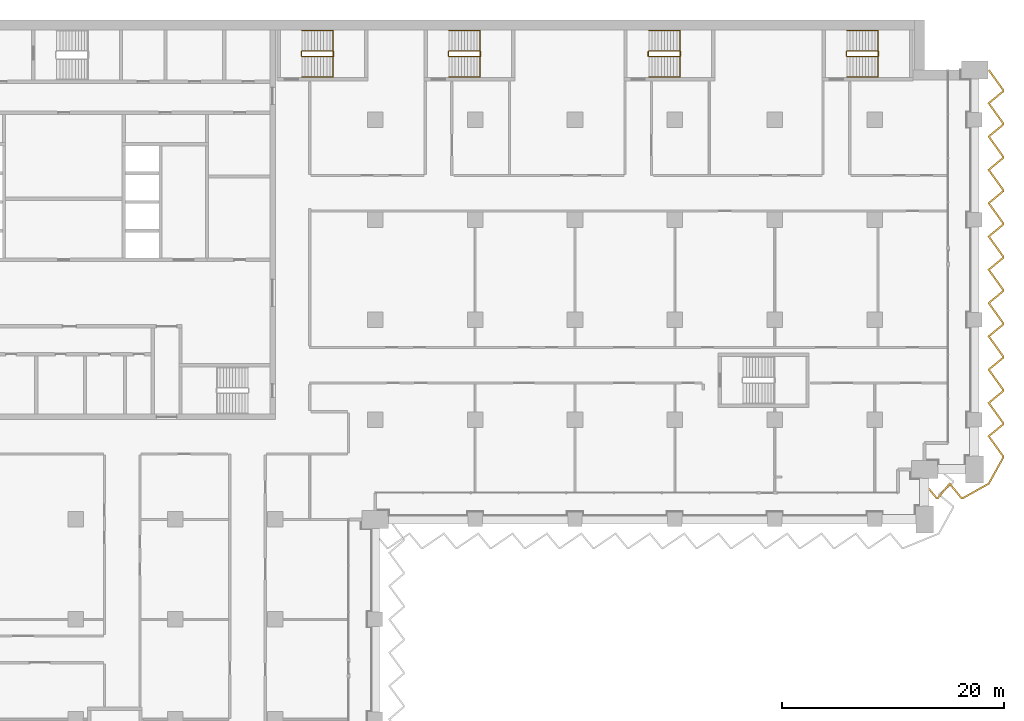
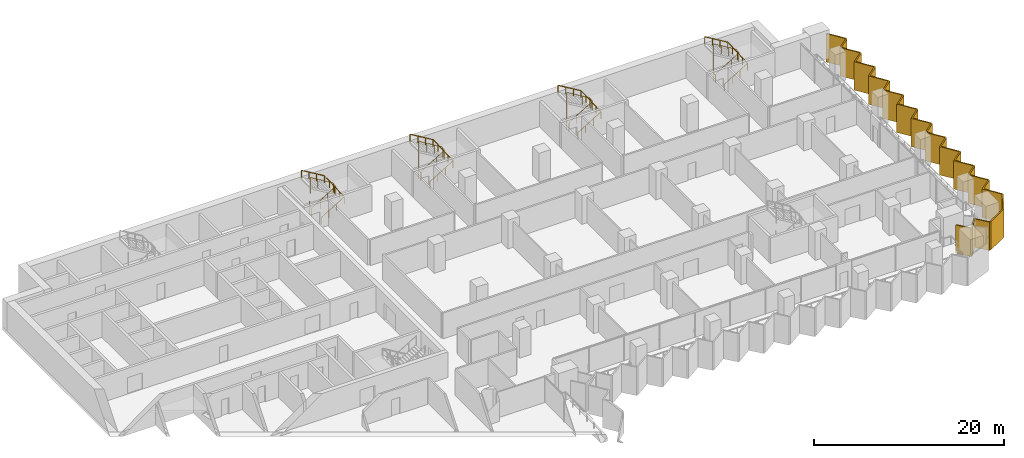
# One storey, part 27 of 28: 8 railings, 1 shading device.
"""IFC4 building model written with IfcOpenShell, lengths in metres."""

from ifc_helpers import new_model, si_unit, direction, frame, origin, origin_2d, place, context, subcontext, project, spatial, polyline, circle, outline, extrude, material, layer, layer_set, type_object, element, save


model = new_model("IFC4")

# Units and contexts
model_context = context("Model", 3, precision=1e-05, world=origin(), true_north=direction((0.0, 1.0)))
body_context = subcontext(model_context, "Body", "Model", "MODEL_VIEW")
ifc_project = project(units=[si_unit("LENGTHUNIT", "METRE"), si_unit("AREAUNIT", "SQUARE_METRE"), si_unit("VOLUMEUNIT", "CUBIC_METRE"), si_unit("PLANEANGLEUNIT", "RADIAN"), si_unit("MASSUNIT", "GRAM", prefix="KILO")], contexts=[model_context])

# Site, building, storey
site_placement = place(None, origin())
site = spatial("IfcSite", under=ifc_project, at=site_placement, CompositionType="ELEMENT")
building_placement = place(site_placement, origin())
building = spatial("IfcBuilding", under=site, at=building_placement, Name="Hunhe Ridgeline Campus", CompositionType="ELEMENT")
storey_placement = place(building_placement, frame((0.0, 0.0, 58.0)))
storey = spatial("IfcBuildingStorey", under=building, at=storey_placement, Name="L13", CompositionType="ELEMENT", Elevation=58.0)

# Shading device
ifc_material_1 = material(Name="Concrete C50", Category="concrete")
ifc_layer = layer(ifc_material_1, 0.14990234375)
ifc_layer_set = layer_set([ifc_layer], Name="Sawtooth concrete fin 150 Concrete C50")
shading_device_type = type_object("IfcShadingDeviceType", Name="Sawtooth concrete fin 150 Concrete C50", PredefinedType="USERDEFINED", material=ifc_layer_set)
shading_device_placement = place(storey_placement, frame((0.0, 0.0, -0.949951171875)))
element("IfcShadingDevice", 1, at=shading_device_placement, inside=storey, type_object=shading_device_type, Name="Concrete fin screen 3", ObjectType="FIN", PredefinedType="USERDEFINED", context=body_context, shape_type="SweptSolid", body=[
    extrude(outline(polyline([(94.557861328125, 57.272705078125), (94.442138671875, 57.17724609375), (95.537353515625, 55.85009765625), (95.728271484375, 55.85009765625), (96.75048828125, 57.106689453125), (97.787353515625, 55.85009765625), (97.962158203125, 55.85009765625), (100.330322265625, 57.169921875), (101.64990234375, 59.55322265625), (101.64990234375, 59.716796875), (100.376953125, 61.48681640625), (101.64990234375, 62.537353515625), (101.64990234375, 62.716796875), (100.376953125, 64.48681640625), (101.64990234375, 65.537353515625), (101.64990234375, 65.716796875), (100.376953125, 67.48681640625), (101.64990234375, 68.537353515625), (101.64990234375, 68.716796875), (100.376953125, 70.48681640625), (101.64990234375, 71.537353515625), (101.64990234375, 71.716796875), (100.376953125, 73.48681640625), (101.64990234375, 74.537353515625), (101.64990234375, 74.716796875), (100.376953125, 76.48681640625), (101.64990234375, 77.537353515625), (101.64990234375, 77.716796875), (100.376953125, 79.48681640625), (101.64990234375, 80.537353515625), (101.64990234375, 80.716796875), (100.376953125, 82.48681640625), (101.64990234375, 83.537353515625), (101.64990234375, 83.716796875), (100.376953125, 85.48681640625), (101.64990234375, 86.537353515625), (101.64990234375, 86.716796875), (100.376953125, 88.48681640625), (101.64990234375, 89.537353515625), (101.64990234375, 89.716796875), (100.376953125, 91.48681640625), (101.64990234375, 92.537353515625), (101.64990234375, 92.716796875), (100.3359375, 94.543701171875), (100.214111328125, 94.456298828125), (101.5, 92.66845703125), (101.5, 92.60791015625), (100.173095703125, 91.51318359375), (101.5, 89.66845703125), (101.5, 89.60791015625), (100.173095703125, 88.51318359375), (101.5, 86.66845703125), (101.5, 86.60791015625), (100.173095703125, 85.51318359375), (101.5, 83.66845703125), (101.5, 83.60791015625), (100.173095703125, 82.51318359375), (101.5, 80.66845703125), (101.5, 80.60791015625), (100.173095703125, 79.51318359375), (101.5, 77.66845703125), (101.5, 77.60791015625), (100.173095703125, 76.51318359375), (101.5, 74.66845703125), (101.5, 74.60791015625), (100.173095703125, 73.51318359375), (101.5, 71.66845703125), (101.5, 71.60791015625), (100.173095703125, 70.51318359375), (101.5, 68.66845703125), (101.5, 68.60791015625), (100.173095703125, 67.51318359375), (101.5, 65.66845703125), (101.5, 65.60791015625), (100.173095703125, 64.51318359375), (101.5, 62.66845703125), (101.5, 62.60791015625), (100.173095703125, 61.51318359375), (101.5, 59.66845703125), (101.5, 59.592041015625), (100.2197265625, 57.280029296875), (97.923095703125, 56.0), (97.85791015625, 56.0), (96.74951171875, 57.34326171875), (95.656982421875, 56.0), (95.60791015625, 56.0), (94.557861328125, 57.272705078125)])), origin(), (0.0, 0.0, 1.0), 3.64990234375),
])

# Railings
ifc_material_2 = material(Name="Stainless steel balustrade", Category="steel")
railing_type_1 = type_object("IfcRailingType", Name="Stair guard 1100 stainless", PredefinedType="GUARDRAIL", material=ifc_material_2)
railing_1_placement = place(storey_placement, frame((38.39990234375, 95.699951171875, 0.168212890625)))
element("IfcRailing", 2, at=railing_1_placement, inside=storey, type_object=railing_type_1, Name="L13 stair E1 guard", PredefinedType="GUARDRAIL", context=body_context, shape_type="SweptSolid", body=[
    extrude(circle(Radius=0.02392578125, at=origin_2d()), frame((0.0, 0.0, 1.076171875), z_axis=(0.857242210791, 0.0, 0.514913383045), x_axis=(0.0, 1.0, 0.0)), (0.0, 0.0, 1.0), 3.266357421875),
    extrude(circle(Radius=0.02392578125, at=origin_2d()), frame((2.800048828125, 0.0, 2.7578125), z_axis=(0.707106781187, 0.707106781187, 0.0), x_axis=(-0.707106781187, 0.707106781187, 0.0)), (0.0, 0.0, 1.0), 0.07080078125),
    extrude(circle(Radius=0.02392578125, at=origin_2d()), frame((2.85009765625, 0.050048828125, 2.7578125), z_axis=(0.0, 1.0, 0.0), x_axis=(-1.0, 0.0, 0.0)), (0.0, 0.0, 1.0), 0.39990234375),
    extrude(circle(Radius=0.02392578125, at=origin_2d()), frame((2.85009765625, 0.449951171875, 2.7578125), z_axis=(-0.274582412415, 0.274582412415, 0.921525364591), x_axis=(-0.707106781187, -0.707106781187, 0.0)), (0.0, 0.0, 1.0), 0.182373046875),
    extrude(circle(Radius=0.02392578125, at=origin_2d()), frame((2.800048828125, 0.5, 2.92578125), z_axis=(-0.857242210791, 0.0, 0.514913383045), x_axis=(0.0, -1.0, 0.0)), (0.0, 0.0, 1.0), 3.266357421875),
    extrude(circle(Radius=0.02392578125, at=origin_2d()), frame((0.0, 0.5, 4.60791015625), z_axis=(-0.013458453615, -0.013524426427, -0.999817963389), x_axis=(0.708833529934, -0.705375805398, 0.0)), (0.0, 0.0, 1.0), 3.70068359375),
    extrude(circle(Radius=0.02392578125, at=origin_2d()), frame((-0.0498046875, 0.449951171875, 0.90771484375), z_axis=(0.0, -1.0, 0.0), x_axis=(1.0, 0.0, 0.0)), (0.0, 0.0, 1.0), 0.39990234375),
    extrude(circle(Radius=0.02099609375, at=origin_2d()), origin(), (0.0, 0.0, 1.0), 1.052001953125),
    extrude(circle(Radius=0.02099609375, at=origin_2d()), frame((0.933349609375, 0.0, 0.560546875)), (0.0, 0.0, 1.0), 1.052001953125),
    extrude(circle(Radius=0.02099609375, at=origin_2d()), frame((1.86669921875, 0.0, 1.121337890625)), (0.0, 0.0, 1.0), 1.052001953125),
    extrude(circle(Radius=0.02099609375, at=origin_2d()), frame((2.800048828125, 0.0, 1.681884765625)), (0.0, 0.0, 1.0), 1.052001953125),
    extrude(circle(Radius=0.02099609375, at=origin_2d()), frame((2.85009765625, 0.050048828125, 1.681884765625)), (0.0, 0.0, 1.0), 1.052001953125),
    extrude(circle(Radius=0.02099609375, at=origin_2d()), frame((2.85009765625, 0.449951171875, 1.681884765625)), (0.0, 0.0, 1.0), 1.052001953125),
    extrude(circle(Radius=0.02099609375, at=origin_2d()), frame((2.800048828125, 0.5, 1.849853515625)), (0.0, 0.0, 1.0), 1.052001953125),
    extrude(circle(Radius=0.02099609375, at=origin_2d()), frame((1.86669921875, 0.5, 2.410400390625)), (0.0, 0.0, 1.0), 1.052001953125),
    extrude(circle(Radius=0.02099609375, at=origin_2d()), frame((0.933349609375, 0.5, 2.97119140625)), (0.0, 0.0, 1.0), 1.052001953125),
    extrude(circle(Radius=0.02099609375, at=origin_2d()), frame((0.0, 0.5, 3.53173828125)), (0.0, 0.0, 1.0), 1.052001953125),
    extrude(circle(Radius=0.02099609375, at=origin_2d()), frame((-0.012451171875, 0.487548828125, 2.606689453125)), (0.0, 0.0, 1.0), 1.052001953125),
    extrude(circle(Radius=0.02099609375, at=origin_2d()), frame((-0.02490234375, 0.47509765625, 1.681640625)), (0.0, 0.0, 1.0), 1.052001953125),
    extrude(circle(Radius=0.02099609375, at=origin_2d()), frame((-0.037353515625, 0.46240234375, 0.7568359375)), (0.0, 0.0, 1.0), 1.052001953125),
    extrude(circle(Radius=0.02099609375, at=origin_2d()), frame((-0.0498046875, 0.449951171875, -0.168212890625)), (0.0, 0.0, 1.0), 1.052001953125),
    extrude(circle(Radius=0.02099609375, at=origin_2d()), frame((-0.0498046875, 0.050048828125, -0.168212890625)), (0.0, 0.0, 1.0), 1.052001953125),
])
railing_2_placement = place(storey_placement, frame((51.64990234375, 95.699951171875, 0.168212890625)))
element("IfcRailing", 3, at=railing_2_placement, inside=storey, type_object=railing_type_1, Name="L13 stair E2 guard", PredefinedType="GUARDRAIL", context=body_context, shape_type="SweptSolid", body=[
    extrude(circle(Radius=0.02392578125, at=origin_2d()), frame((0.0, 0.0, 1.076171875), z_axis=(0.857242210791, 0.0, 0.514913383045), x_axis=(0.0, 1.0, 0.0)), (0.0, 0.0, 1.0), 3.266357421875),
    extrude(circle(Radius=0.02392578125, at=origin_2d()), frame((2.800048828125, 0.0, 2.7578125), z_axis=(0.707106781187, 0.707106781187, 0.0), x_axis=(-0.707106781187, 0.707106781187, 0.0)), (0.0, 0.0, 1.0), 0.07080078125),
    extrude(circle(Radius=0.02392578125, at=origin_2d()), frame((2.85009765625, 0.050048828125, 2.7578125), z_axis=(0.0, 1.0, 0.0), x_axis=(-1.0, 0.0, 0.0)), (0.0, 0.0, 1.0), 0.39990234375),
    extrude(circle(Radius=0.02392578125, at=origin_2d()), frame((2.85009765625, 0.449951171875, 2.7578125), z_axis=(-0.274582412415, 0.274582412415, 0.921525364591), x_axis=(-0.707106781187, -0.707106781187, 0.0)), (0.0, 0.0, 1.0), 0.182373046875),
    extrude(circle(Radius=0.02392578125, at=origin_2d()), frame((2.800048828125, 0.5, 2.92578125), z_axis=(-0.857242210791, 0.0, 0.514913383045), x_axis=(0.0, -1.0, 0.0)), (0.0, 0.0, 1.0), 3.266357421875),
    extrude(circle(Radius=0.02392578125, at=origin_2d()), frame((0.0, 0.5, 4.60791015625), z_axis=(-0.013458453615, -0.013524426427, -0.999817963389), x_axis=(0.708833529934, -0.705375805398, 0.0)), (0.0, 0.0, 1.0), 3.70068359375),
    extrude(circle(Radius=0.02392578125, at=origin_2d()), frame((-0.0498046875, 0.449951171875, 0.90771484375), z_axis=(0.0, -1.0, 0.0), x_axis=(1.0, 0.0, 0.0)), (0.0, 0.0, 1.0), 0.39990234375),
    extrude(circle(Radius=0.02099609375, at=origin_2d()), origin(), (0.0, 0.0, 1.0), 1.052001953125),
    extrude(circle(Radius=0.02099609375, at=origin_2d()), frame((0.933349609375, 0.0, 0.560546875)), (0.0, 0.0, 1.0), 1.052001953125),
    extrude(circle(Radius=0.02099609375, at=origin_2d()), frame((1.86669921875, 0.0, 1.121337890625)), (0.0, 0.0, 1.0), 1.052001953125),
    extrude(circle(Radius=0.02099609375, at=origin_2d()), frame((2.800048828125, 0.0, 1.681884765625)), (0.0, 0.0, 1.0), 1.052001953125),
    extrude(circle(Radius=0.02099609375, at=origin_2d()), frame((2.85009765625, 0.050048828125, 1.681884765625)), (0.0, 0.0, 1.0), 1.052001953125),
    extrude(circle(Radius=0.02099609375, at=origin_2d()), frame((2.85009765625, 0.449951171875, 1.681884765625)), (0.0, 0.0, 1.0), 1.052001953125),
    extrude(circle(Radius=0.02099609375, at=origin_2d()), frame((2.800048828125, 0.5, 1.849853515625)), (0.0, 0.0, 1.0), 1.052001953125),
    extrude(circle(Radius=0.02099609375, at=origin_2d()), frame((1.86669921875, 0.5, 2.410400390625)), (0.0, 0.0, 1.0), 1.052001953125),
    extrude(circle(Radius=0.02099609375, at=origin_2d()), frame((0.933349609375, 0.5, 2.97119140625)), (0.0, 0.0, 1.0), 1.052001953125),
    extrude(circle(Radius=0.02099609375, at=origin_2d()), frame((0.0, 0.5, 3.53173828125)), (0.0, 0.0, 1.0), 1.052001953125),
    extrude(circle(Radius=0.02099609375, at=origin_2d()), frame((-0.012451171875, 0.487548828125, 2.606689453125)), (0.0, 0.0, 1.0), 1.052001953125),
    extrude(circle(Radius=0.02099609375, at=origin_2d()), frame((-0.02490234375, 0.47509765625, 1.681640625)), (0.0, 0.0, 1.0), 1.052001953125),
    extrude(circle(Radius=0.02099609375, at=origin_2d()), frame((-0.037353515625, 0.46240234375, 0.7568359375)), (0.0, 0.0, 1.0), 1.052001953125),
    extrude(circle(Radius=0.02099609375, at=origin_2d()), frame((-0.0498046875, 0.449951171875, -0.168212890625)), (0.0, 0.0, 1.0), 1.052001953125),
    extrude(circle(Radius=0.02099609375, at=origin_2d()), frame((-0.0498046875, 0.050048828125, -0.168212890625)), (0.0, 0.0, 1.0), 1.052001953125),
])
railing_3_placement = place(storey_placement, frame((69.64990234375, 95.699951171875, 0.168212890625)))
element("IfcRailing", 4, at=railing_3_placement, inside=storey, type_object=railing_type_1, Name="L13 stair E3 guard", PredefinedType="GUARDRAIL", context=body_context, shape_type="SweptSolid", body=[
    extrude(circle(Radius=0.02392578125, at=origin_2d()), frame((0.0, 0.0, 1.076171875), z_axis=(0.857242210791, 0.0, 0.514913383045), x_axis=(0.0, 1.0, 0.0)), (0.0, 0.0, 1.0), 3.266357421875),
    extrude(circle(Radius=0.02392578125, at=origin_2d()), frame((2.800048828125, 0.0, 2.7578125), z_axis=(0.707106781187, 0.707106781187, 0.0), x_axis=(-0.707106781187, 0.707106781187, 0.0)), (0.0, 0.0, 1.0), 0.07080078125),
    extrude(circle(Radius=0.02392578125, at=origin_2d()), frame((2.85009765625, 0.050048828125, 2.7578125), z_axis=(0.0, 1.0, 0.0), x_axis=(-1.0, 0.0, 0.0)), (0.0, 0.0, 1.0), 0.39990234375),
    extrude(circle(Radius=0.02392578125, at=origin_2d()), frame((2.85009765625, 0.449951171875, 2.7578125), z_axis=(-0.274582412415, 0.274582412415, 0.921525364591), x_axis=(-0.707106781187, -0.707106781187, 0.0)), (0.0, 0.0, 1.0), 0.182373046875),
    extrude(circle(Radius=0.02392578125, at=origin_2d()), frame((2.800048828125, 0.5, 2.92578125), z_axis=(-0.857242210791, 0.0, 0.514913383045), x_axis=(0.0, -1.0, 0.0)), (0.0, 0.0, 1.0), 3.266357421875),
    extrude(circle(Radius=0.02392578125, at=origin_2d()), frame((0.0, 0.5, 4.60791015625), z_axis=(-0.013458453615, -0.013524426427, -0.999817963389), x_axis=(0.708833529934, -0.705375805398, 0.0)), (0.0, 0.0, 1.0), 3.70068359375),
    extrude(circle(Radius=0.02392578125, at=origin_2d()), frame((-0.0498046875, 0.449951171875, 0.90771484375), z_axis=(0.0, -1.0, 0.0), x_axis=(1.0, 0.0, 0.0)), (0.0, 0.0, 1.0), 0.39990234375),
    extrude(circle(Radius=0.02099609375, at=origin_2d()), origin(), (0.0, 0.0, 1.0), 1.052001953125),
    extrude(circle(Radius=0.02099609375, at=origin_2d()), frame((0.933349609375, 0.0, 0.560546875)), (0.0, 0.0, 1.0), 1.052001953125),
    extrude(circle(Radius=0.02099609375, at=origin_2d()), frame((1.86669921875, 0.0, 1.121337890625)), (0.0, 0.0, 1.0), 1.052001953125),
    extrude(circle(Radius=0.02099609375, at=origin_2d()), frame((2.800048828125, 0.0, 1.681884765625)), (0.0, 0.0, 1.0), 1.052001953125),
    extrude(circle(Radius=0.02099609375, at=origin_2d()), frame((2.85009765625, 0.050048828125, 1.681884765625)), (0.0, 0.0, 1.0), 1.052001953125),
    extrude(circle(Radius=0.02099609375, at=origin_2d()), frame((2.85009765625, 0.449951171875, 1.681884765625)), (0.0, 0.0, 1.0), 1.052001953125),
    extrude(circle(Radius=0.02099609375, at=origin_2d()), frame((2.800048828125, 0.5, 1.849853515625)), (0.0, 0.0, 1.0), 1.052001953125),
    extrude(circle(Radius=0.02099609375, at=origin_2d()), frame((1.86669921875, 0.5, 2.410400390625)), (0.0, 0.0, 1.0), 1.052001953125),
    extrude(circle(Radius=0.02099609375, at=origin_2d()), frame((0.933349609375, 0.5, 2.97119140625)), (0.0, 0.0, 1.0), 1.052001953125),
    extrude(circle(Radius=0.02099609375, at=origin_2d()), frame((0.0, 0.5, 3.53173828125)), (0.0, 0.0, 1.0), 1.052001953125),
    extrude(circle(Radius=0.02099609375, at=origin_2d()), frame((-0.012451171875, 0.487548828125, 2.606689453125)), (0.0, 0.0, 1.0), 1.052001953125),
    extrude(circle(Radius=0.02099609375, at=origin_2d()), frame((-0.02490234375, 0.47509765625, 1.681640625)), (0.0, 0.0, 1.0), 1.052001953125),
    extrude(circle(Radius=0.02099609375, at=origin_2d()), frame((-0.037353515625, 0.46240234375, 0.7568359375)), (0.0, 0.0, 1.0), 1.052001953125),
    extrude(circle(Radius=0.02099609375, at=origin_2d()), frame((-0.0498046875, 0.449951171875, -0.168212890625)), (0.0, 0.0, 1.0), 1.052001953125),
    extrude(circle(Radius=0.02099609375, at=origin_2d()), frame((-0.0498046875, 0.050048828125, -0.168212890625)), (0.0, 0.0, 1.0), 1.052001953125),
])
railing_4_placement = place(storey_placement, frame((87.5, 95.699951171875, 0.168212890625)))
element("IfcRailing", 5, at=railing_4_placement, inside=storey, type_object=railing_type_1, Name="L13 stair E4 guard", PredefinedType="GUARDRAIL", context=body_context, shape_type="SweptSolid", body=[
    extrude(circle(Radius=0.02392578125, at=origin_2d()), frame((0.0, 0.0, 1.076171875), z_axis=(0.857242210791, 0.0, 0.514913383045), x_axis=(0.0, 1.0, 0.0)), (0.0, 0.0, 1.0), 3.266357421875),
    extrude(circle(Radius=0.02392578125, at=origin_2d()), frame((2.800048828125, 0.0, 2.7578125), z_axis=(0.707106781187, 0.707106781187, 0.0), x_axis=(-0.707106781187, 0.707106781187, 0.0)), (0.0, 0.0, 1.0), 0.07080078125),
    extrude(circle(Radius=0.02392578125, at=origin_2d()), frame((2.85009765625, 0.050048828125, 2.7578125), z_axis=(0.0, 1.0, 0.0), x_axis=(-1.0, 0.0, 0.0)), (0.0, 0.0, 1.0), 0.39990234375),
    extrude(circle(Radius=0.02392578125, at=origin_2d()), frame((2.85009765625, 0.449951171875, 2.7578125), z_axis=(-0.274582412415, 0.274582412415, 0.921525364591), x_axis=(-0.707106781187, -0.707106781187, 0.0)), (0.0, 0.0, 1.0), 0.182373046875),
    extrude(circle(Radius=0.02392578125, at=origin_2d()), frame((2.800048828125, 0.5, 2.92578125), z_axis=(-0.857242210791, 0.0, 0.514913383045), x_axis=(0.0, -1.0, 0.0)), (0.0, 0.0, 1.0), 3.266357421875),
    extrude(circle(Radius=0.02392578125, at=origin_2d()), frame((0.0, 0.5, 4.60791015625), z_axis=(-0.013524414389, -0.013524414389, -0.999817073484), x_axis=(0.707106781187, -0.707106781187, 0.0)), (0.0, 0.0, 1.0), 3.70068359375),
    extrude(circle(Radius=0.02392578125, at=origin_2d()), frame((-0.050048828125, 0.449951171875, 0.90771484375), z_axis=(0.0, -1.0, 0.0), x_axis=(1.0, 0.0, 0.0)), (0.0, 0.0, 1.0), 0.39990234375),
    extrude(circle(Radius=0.02099609375, at=origin_2d()), origin(), (0.0, 0.0, 1.0), 1.052001953125),
    extrude(circle(Radius=0.02099609375, at=origin_2d()), frame((0.933349609375, 0.0, 0.560546875)), (0.0, 0.0, 1.0), 1.052001953125),
    extrude(circle(Radius=0.02099609375, at=origin_2d()), frame((1.86669921875, 0.0, 1.121337890625)), (0.0, 0.0, 1.0), 1.052001953125),
    extrude(circle(Radius=0.02099609375, at=origin_2d()), frame((2.800048828125, 0.0, 1.681884765625)), (0.0, 0.0, 1.0), 1.052001953125),
    extrude(circle(Radius=0.02099609375, at=origin_2d()), frame((2.85009765625, 0.050048828125, 1.681884765625)), (0.0, 0.0, 1.0), 1.052001953125),
    extrude(circle(Radius=0.02099609375, at=origin_2d()), frame((2.85009765625, 0.449951171875, 1.681884765625)), (0.0, 0.0, 1.0), 1.052001953125),
    extrude(circle(Radius=0.02099609375, at=origin_2d()), frame((2.800048828125, 0.5, 1.849853515625)), (0.0, 0.0, 1.0), 1.052001953125),
    extrude(circle(Radius=0.02099609375, at=origin_2d()), frame((1.86669921875, 0.5, 2.410400390625)), (0.0, 0.0, 1.0), 1.052001953125),
    extrude(circle(Radius=0.02099609375, at=origin_2d()), frame((0.933349609375, 0.5, 2.97119140625)), (0.0, 0.0, 1.0), 1.052001953125),
    extrude(circle(Radius=0.02099609375, at=origin_2d()), frame((0.0, 0.5, 3.53173828125)), (0.0, 0.0, 1.0), 1.052001953125),
    extrude(circle(Radius=0.02099609375, at=origin_2d()), frame((-0.012451171875, 0.487548828125, 2.606689453125)), (0.0, 0.0, 1.0), 1.052001953125),
    extrude(circle(Radius=0.02099609375, at=origin_2d()), frame((-0.02490234375, 0.47509765625, 1.681640625)), (0.0, 0.0, 1.0), 1.052001953125),
    extrude(circle(Radius=0.02099609375, at=origin_2d()), frame((-0.03759765625, 0.46240234375, 0.7568359375)), (0.0, 0.0, 1.0), 1.052001953125),
    extrude(circle(Radius=0.02099609375, at=origin_2d()), frame((-0.050048828125, 0.449951171875, -0.168212890625)), (0.0, 0.0, 1.0), 1.052001953125),
    extrude(circle(Radius=0.02099609375, at=origin_2d()), frame((-0.050048828125, 0.050048828125, -0.168212890625)), (0.0, 0.0, 1.0), 1.052001953125),
])
ifc_material_3 = material(Name="Stainless steel handrail", Category="steel")
railing_type_2 = type_object("IfcRailingType", Name="Stair handrail 900 stainless", PredefinedType="HANDRAIL", material=ifc_material_3)
railing_5_placement = place(storey_placement, frame((38.39990234375, 93.85009765625, 0.168212890625)))
element("IfcRailing", 6, at=railing_5_placement, inside=storey, type_object=railing_type_2, Name="L13 stair E1 handrail", PredefinedType="HANDRAIL", context=body_context, shape_type="SweptSolid", body=[
    extrude(circle(Radius=0.02392578125, at=origin_2d()), frame((0.0, 0.0, 0.8759765625), z_axis=(0.857242210791, 0.0, 0.514913383045), x_axis=(0.0, 1.0, 0.0)), (0.0, 0.0, 1.0), 3.266357421875),
    extrude(circle(Radius=0.02392578125, at=origin_2d()), frame((2.800048828125, 0.0, 2.5576171875), z_axis=(0.0, 0.99920123705, 0.039961079526), x_axis=(-1.0, 0.0, 0.0)), (0.0, 0.0, 1.0), 4.203369140625),
    extrude(circle(Radius=0.02392578125, at=origin_2d()), frame((2.800048828125, 4.199951171875, 2.7255859375), z_axis=(-0.857242210791, 0.0, 0.514913383045), x_axis=(0.0, -1.0, 0.0)), (0.0, 0.0, 1.0), 3.266357421875),
    extrude(circle(Radius=0.02099609375, at=origin_2d()), origin(), (0.0, 0.0, 1.0), 0.851806640625),
    extrude(circle(Radius=0.02099609375, at=origin_2d()), frame((0.933349609375, 0.0, 0.560546875)), (0.0, 0.0, 1.0), 0.851806640625),
    extrude(circle(Radius=0.02099609375, at=origin_2d()), frame((1.86669921875, 0.0, 1.121337890625)), (0.0, 0.0, 1.0), 0.851806640625),
    extrude(circle(Radius=0.02099609375, at=origin_2d()), frame((2.800048828125, 0.0, 1.681884765625)), (0.0, 0.0, 1.0), 0.851806640625),
    extrude(circle(Radius=0.02099609375, at=origin_2d()), frame((2.800048828125, 1.050048828125, 1.723876953125)), (0.0, 0.0, 1.0), 0.851806640625),
    extrude(circle(Radius=0.02099609375, at=origin_2d()), frame((2.800048828125, 2.10009765625, 1.765869140625)), (0.0, 0.0, 1.0), 0.851806640625),
    extrude(circle(Radius=0.02099609375, at=origin_2d()), frame((2.800048828125, 3.14990234375, 1.807861328125)), (0.0, 0.0, 1.0), 0.851806640625),
    extrude(circle(Radius=0.02099609375, at=origin_2d()), frame((2.800048828125, 4.199951171875, 1.849853515625)), (0.0, 0.0, 1.0), 0.851806640625),
    extrude(circle(Radius=0.02099609375, at=origin_2d()), frame((1.86669921875, 4.199951171875, 2.410400390625)), (0.0, 0.0, 1.0), 0.851806640625),
    extrude(circle(Radius=0.02099609375, at=origin_2d()), frame((0.933349609375, 4.199951171875, 2.97119140625)), (0.0, 0.0, 1.0), 0.851806640625),
    extrude(circle(Radius=0.02099609375, at=origin_2d()), frame((0.0, 4.199951171875, 3.53173828125)), (0.0, 0.0, 1.0), 0.851806640625),
])
railing_6_placement = place(storey_placement, frame((51.64990234375, 93.85009765625, 0.168212890625)))
element("IfcRailing", 7, at=railing_6_placement, inside=storey, type_object=railing_type_2, Name="L13 stair E2 handrail", PredefinedType="HANDRAIL", context=body_context, shape_type="SweptSolid", body=[
    extrude(circle(Radius=0.02392578125, at=origin_2d()), frame((0.0, 0.0, 0.8759765625), z_axis=(0.857242210791, 0.0, 0.514913383045), x_axis=(0.0, 1.0, 0.0)), (0.0, 0.0, 1.0), 3.266357421875),
    extrude(circle(Radius=0.02392578125, at=origin_2d()), frame((2.800048828125, 0.0, 2.5576171875), z_axis=(0.0, 0.99920123705, 0.039961079526), x_axis=(-1.0, 0.0, 0.0)), (0.0, 0.0, 1.0), 4.203369140625),
    extrude(circle(Radius=0.02392578125, at=origin_2d()), frame((2.800048828125, 4.199951171875, 2.7255859375), z_axis=(-0.857242210791, 0.0, 0.514913383045), x_axis=(0.0, -1.0, 0.0)), (0.0, 0.0, 1.0), 3.266357421875),
    extrude(circle(Radius=0.02099609375, at=origin_2d()), origin(), (0.0, 0.0, 1.0), 0.851806640625),
    extrude(circle(Radius=0.02099609375, at=origin_2d()), frame((0.933349609375, 0.0, 0.560546875)), (0.0, 0.0, 1.0), 0.851806640625),
    extrude(circle(Radius=0.02099609375, at=origin_2d()), frame((1.86669921875, 0.0, 1.121337890625)), (0.0, 0.0, 1.0), 0.851806640625),
    extrude(circle(Radius=0.02099609375, at=origin_2d()), frame((2.800048828125, 0.0, 1.681884765625)), (0.0, 0.0, 1.0), 0.851806640625),
    extrude(circle(Radius=0.02099609375, at=origin_2d()), frame((2.800048828125, 1.050048828125, 1.723876953125)), (0.0, 0.0, 1.0), 0.851806640625),
    extrude(circle(Radius=0.02099609375, at=origin_2d()), frame((2.800048828125, 2.10009765625, 1.765869140625)), (0.0, 0.0, 1.0), 0.851806640625),
    extrude(circle(Radius=0.02099609375, at=origin_2d()), frame((2.800048828125, 3.14990234375, 1.807861328125)), (0.0, 0.0, 1.0), 0.851806640625),
    extrude(circle(Radius=0.02099609375, at=origin_2d()), frame((2.800048828125, 4.199951171875, 1.849853515625)), (0.0, 0.0, 1.0), 0.851806640625),
    extrude(circle(Radius=0.02099609375, at=origin_2d()), frame((1.86669921875, 4.199951171875, 2.410400390625)), (0.0, 0.0, 1.0), 0.851806640625),
    extrude(circle(Radius=0.02099609375, at=origin_2d()), frame((0.933349609375, 4.199951171875, 2.97119140625)), (0.0, 0.0, 1.0), 0.851806640625),
    extrude(circle(Radius=0.02099609375, at=origin_2d()), frame((0.0, 4.199951171875, 3.53173828125)), (0.0, 0.0, 1.0), 0.851806640625),
])
railing_7_placement = place(storey_placement, frame((69.64990234375, 93.85009765625, 0.168212890625)))
element("IfcRailing", 8, at=railing_7_placement, inside=storey, type_object=railing_type_2, Name="L13 stair E3 handrail", PredefinedType="HANDRAIL", context=body_context, shape_type="SweptSolid", body=[
    extrude(circle(Radius=0.02392578125, at=origin_2d()), frame((0.0, 0.0, 0.8759765625), z_axis=(0.857242210791, 0.0, 0.514913383045), x_axis=(0.0, 1.0, 0.0)), (0.0, 0.0, 1.0), 3.266357421875),
    extrude(circle(Radius=0.02392578125, at=origin_2d()), frame((2.800048828125, 0.0, 2.5576171875), z_axis=(0.0, 0.99920123705, 0.039961079526), x_axis=(-1.0, 0.0, 0.0)), (0.0, 0.0, 1.0), 4.203369140625),
    extrude(circle(Radius=0.02392578125, at=origin_2d()), frame((2.800048828125, 4.199951171875, 2.7255859375), z_axis=(-0.857242210791, 0.0, 0.514913383045), x_axis=(0.0, -1.0, 0.0)), (0.0, 0.0, 1.0), 3.266357421875),
    extrude(circle(Radius=0.02099609375, at=origin_2d()), origin(), (0.0, 0.0, 1.0), 0.851806640625),
    extrude(circle(Radius=0.02099609375, at=origin_2d()), frame((0.933349609375, 0.0, 0.560546875)), (0.0, 0.0, 1.0), 0.851806640625),
    extrude(circle(Radius=0.02099609375, at=origin_2d()), frame((1.86669921875, 0.0, 1.121337890625)), (0.0, 0.0, 1.0), 0.851806640625),
    extrude(circle(Radius=0.02099609375, at=origin_2d()), frame((2.800048828125, 0.0, 1.681884765625)), (0.0, 0.0, 1.0), 0.851806640625),
    extrude(circle(Radius=0.02099609375, at=origin_2d()), frame((2.800048828125, 1.050048828125, 1.723876953125)), (0.0, 0.0, 1.0), 0.851806640625),
    extrude(circle(Radius=0.02099609375, at=origin_2d()), frame((2.800048828125, 2.10009765625, 1.765869140625)), (0.0, 0.0, 1.0), 0.851806640625),
    extrude(circle(Radius=0.02099609375, at=origin_2d()), frame((2.800048828125, 3.14990234375, 1.807861328125)), (0.0, 0.0, 1.0), 0.851806640625),
    extrude(circle(Radius=0.02099609375, at=origin_2d()), frame((2.800048828125, 4.199951171875, 1.849853515625)), (0.0, 0.0, 1.0), 0.851806640625),
    extrude(circle(Radius=0.02099609375, at=origin_2d()), frame((1.86669921875, 4.199951171875, 2.410400390625)), (0.0, 0.0, 1.0), 0.851806640625),
    extrude(circle(Radius=0.02099609375, at=origin_2d()), frame((0.933349609375, 4.199951171875, 2.97119140625)), (0.0, 0.0, 1.0), 0.851806640625),
    extrude(circle(Radius=0.02099609375, at=origin_2d()), frame((0.0, 4.199951171875, 3.53173828125)), (0.0, 0.0, 1.0), 0.851806640625),
])
railing_8_placement = place(storey_placement, frame((87.5, 93.85009765625, 0.168212890625)))
element("IfcRailing", 9, at=railing_8_placement, inside=storey, type_object=railing_type_2, Name="L13 stair E4 handrail", PredefinedType="HANDRAIL", context=body_context, shape_type="SweptSolid", body=[
    extrude(circle(Radius=0.02392578125, at=origin_2d()), frame((0.0, 0.0, 0.8759765625), z_axis=(0.857242210791, 0.0, 0.514913383045), x_axis=(0.0, 1.0, 0.0)), (0.0, 0.0, 1.0), 3.266357421875),
    extrude(circle(Radius=0.02392578125, at=origin_2d()), frame((2.800048828125, 0.0, 2.5576171875), z_axis=(0.0, 0.99920123705, 0.039961079526), x_axis=(-1.0, 0.0, 0.0)), (0.0, 0.0, 1.0), 4.203369140625),
    extrude(circle(Radius=0.02392578125, at=origin_2d()), frame((2.800048828125, 4.199951171875, 2.7255859375), z_axis=(-0.857242210791, 0.0, 0.514913383045), x_axis=(0.0, -1.0, 0.0)), (0.0, 0.0, 1.0), 3.266357421875),
    extrude(circle(Radius=0.02099609375, at=origin_2d()), origin(), (0.0, 0.0, 1.0), 0.851806640625),
    extrude(circle(Radius=0.02099609375, at=origin_2d()), frame((0.933349609375, 0.0, 0.560546875)), (0.0, 0.0, 1.0), 0.851806640625),
    extrude(circle(Radius=0.02099609375, at=origin_2d()), frame((1.86669921875, 0.0, 1.121337890625)), (0.0, 0.0, 1.0), 0.851806640625),
    extrude(circle(Radius=0.02099609375, at=origin_2d()), frame((2.800048828125, 0.0, 1.681884765625)), (0.0, 0.0, 1.0), 0.851806640625),
    extrude(circle(Radius=0.02099609375, at=origin_2d()), frame((2.800048828125, 1.050048828125, 1.723876953125)), (0.0, 0.0, 1.0), 0.851806640625),
    extrude(circle(Radius=0.02099609375, at=origin_2d()), frame((2.800048828125, 2.10009765625, 1.765869140625)), (0.0, 0.0, 1.0), 0.851806640625),
    extrude(circle(Radius=0.02099609375, at=origin_2d()), frame((2.800048828125, 3.14990234375, 1.807861328125)), (0.0, 0.0, 1.0), 0.851806640625),
    extrude(circle(Radius=0.02099609375, at=origin_2d()), frame((2.800048828125, 4.199951171875, 1.849853515625)), (0.0, 0.0, 1.0), 0.851806640625),
    extrude(circle(Radius=0.02099609375, at=origin_2d()), frame((1.86669921875, 4.199951171875, 2.410400390625)), (0.0, 0.0, 1.0), 0.851806640625),
    extrude(circle(Radius=0.02099609375, at=origin_2d()), frame((0.933349609375, 4.199951171875, 2.97119140625)), (0.0, 0.0, 1.0), 0.851806640625),
    extrude(circle(Radius=0.02099609375, at=origin_2d()), frame((0.0, 4.199951171875, 3.53173828125)), (0.0, 0.0, 1.0), 0.851806640625),
])

save(model, "model.ifc")
